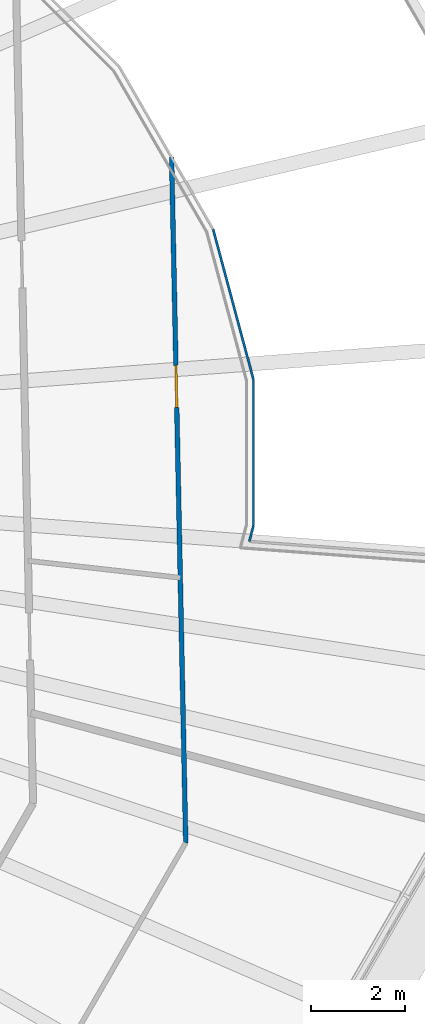
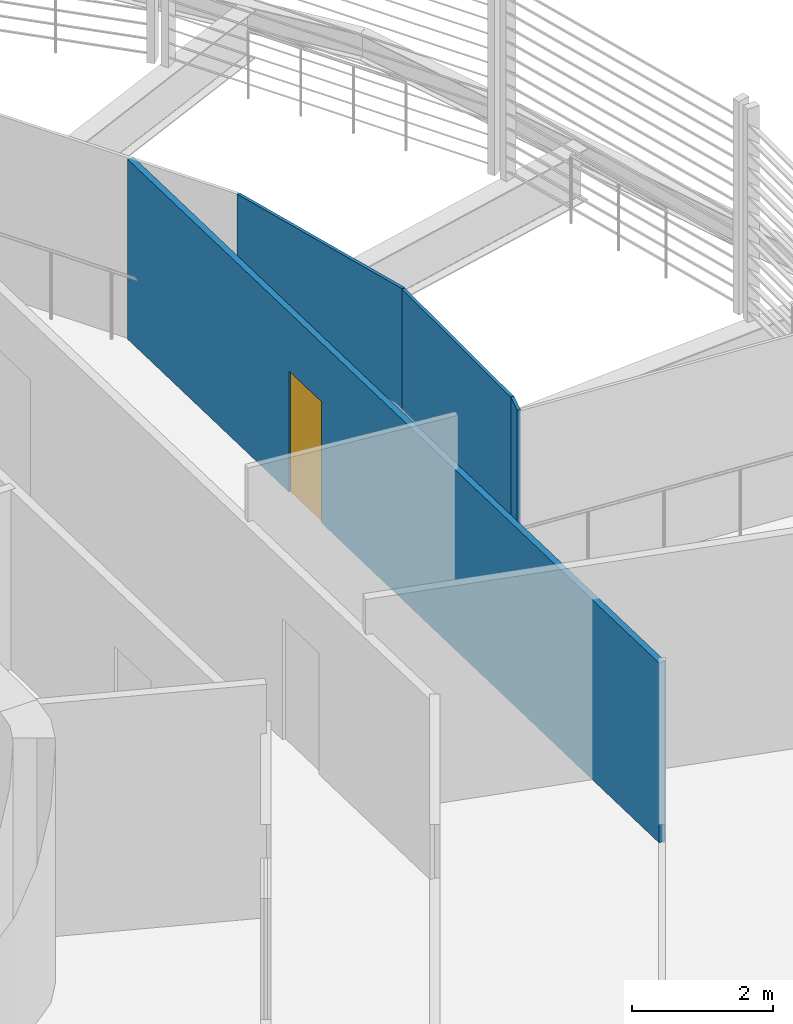
# One storey, part 17 of 28: 4 walls, 1 door, 1 opening.
"""IFC4 building model written with IfcOpenShell, lengths in metres."""

import ifcopenshell
import ifcopenshell.guid

model = None  # the IFC model being written
_history = None  # IfcOwnerHistory: only IFC2X3 demands one
_inside = {}  # id of a spatial element -> (the spatial element, [elements in it])
_under = {}  # id of a project, library or spatial element -> (it, [spatial elements below it])
_declared = {}  # id of a project -> (the project, [libraries it declares])
_typed = {}  # id of a type object -> (the type object, [elements of that type])
_made_of = {}  # id of a material, layer set ... -> (it, [elements and type objects made of it])


def new_model(schema):
    """Start an empty IFC model of exactly this schema.

    Asked for "IFC4X3", IfcOpenShell would pick the latest addendum, in which some entities
    have other attributes; the version numbers below select the first issue.
    IFC2X3 requires an IfcOwnerHistory on every rooted entity: one is made here for all.
    """
    global model, _history
    if schema == "IFC4X3":
        model = ifcopenshell.file(schema_version=(4, 3, 0, 0))
    else:
        model = ifcopenshell.file(schema=schema)
    _inside.clear()
    _under.clear()
    _declared.clear()
    _typed.clear()
    _made_of.clear()
    _history = None
    if model.schema == "IFC2X3":
        org = make("IfcOrganization", Name="unknown")
        user = make(
            "IfcPersonAndOrganization",
            ThePerson=make("IfcPerson", FamilyName="unknown"),
            TheOrganization=org,
        )
        app = make(
            "IfcApplication",
            ApplicationDeveloper=org,
            Version="unknown",
            ApplicationFullName="unknown",
            ApplicationIdentifier="unknown",
        )
        _history = make(
            "IfcOwnerHistory",
            OwningUser=user,
            OwningApplication=app,
            ChangeAction="ADDED",
            CreationDate=0,
        )
    return model


def make(cls, **values):
    """One entity of the class cls with the attributes given. An attribute that is None is left unset."""
    return model.create_entity(
        cls, **{name: value for name, value in values.items() if value is not None}
    )


def rooted(cls, **values):
    """An entity with a GlobalId (a new one), such as an element, a storey or a relation."""
    return make(cls, GlobalId=ifcopenshell.guid.new(), OwnerHistory=_history, **values)


def si_unit(unit_type, name, prefix=None):
    """IfcSIUnit, for example si_unit("LENGTHUNIT", "METRE", prefix="MILLI")."""
    return make("IfcSIUnit", UnitType=unit_type, Prefix=prefix, Name=name)


def assignment(units):
    """IfcUnitAssignment: the units of a project."""
    return None if units is None else make("IfcUnitAssignment", Units=units)


def point(xyz):
    """IfcCartesianPoint."""
    return None if xyz is None else make("IfcCartesianPoint", Coordinates=xyz)


def direction(xyz):
    """IfcDirection."""
    return None if xyz is None else make("IfcDirection", DirectionRatios=xyz)


def frame(location, z_axis=None, x_axis=None):
    """IfcAxis2Placement3D, a coordinate frame: its origin and axes. An axis left out is left unset."""
    return make(
        "IfcAxis2Placement3D",
        Location=point(location),
        Axis=direction(z_axis),
        RefDirection=direction(x_axis),
    )


def frame_2d(location, x_axis=None):
    """IfcAxis2Placement2D, a coordinate frame in the plane: its origin and x axis."""
    return make(
        "IfcAxis2Placement2D", Location=point(location), RefDirection=direction(x_axis)
    )


def origin():
    """The frame at (0, 0, 0) with its axes left unset."""
    return frame((0.0, 0.0, 0.0))


def place(relative_to, where):
    """IfcLocalPlacement: puts the frame where relative to a parent placement (None: the world)."""
    return make(
        "IfcLocalPlacement", PlacementRelTo=relative_to, RelativePlacement=where
    )


def context(
    kind, dimensions, precision=None, world=None, true_north=None, identifier=None
):
    """IfcGeometricRepresentationContext, for example the 3D "Model" context."""
    return make(
        "IfcGeometricRepresentationContext",
        ContextIdentifier=identifier,
        ContextType=kind,
        CoordinateSpaceDimension=dimensions,
        Precision=precision,
        WorldCoordinateSystem=world,
        TrueNorth=true_north,
    )


def subcontext(parent, identifier, kind, view, scale=None):
    """IfcGeometricRepresentationSubContext, for example "Body" below "Model"."""
    return make(
        "IfcGeometricRepresentationSubContext",
        ContextIdentifier=identifier,
        ContextType=kind,
        ParentContext=parent,
        TargetScale=scale,
        TargetView=view,
    )


def project(units=None, contexts=None):
    """IfcProject with its units and contexts."""
    return rooted(
        "IfcProject",
        Name="project",
        RepresentationContexts=contexts,
        UnitsInContext=assignment(units),
    )


def spatial(cls, under=None, at=None, **own):
    """A site, building, storey or space (cls), placed at a placement, below another one or the project."""
    s = rooted(cls, ObjectPlacement=at, **own)
    if under is not None:
        _under.setdefault(under.id(), (under, []))[1].append(s)
    return s


def profile(cls, at=None, kind="AREA", **sizes):
    """A parametric profile (cls). Its sizes go by their IFC names, for example OverallWidth=200.0."""
    return make(cls, ProfileType=kind, Position=at, **sizes)


def rectangle(**sizes):
    """IfcRectangleProfileDef."""
    return profile("IfcRectangleProfileDef", **sizes)


def extrude(swept, where, along, depth):
    """IfcExtrudedAreaSolid: the profile swept, set in the frame where, extruded along a direction by depth."""
    return make(
        "IfcExtrudedAreaSolid",
        SweptArea=swept,
        Position=where,
        ExtrudedDirection=direction(along),
        Depth=depth,
    )


def shape(context_of_items, identifier, shape_type, items):
    """IfcShapeRepresentation: the items that make up one representation, for example the "Body"."""
    return make(
        "IfcShapeRepresentation",
        ContextOfItems=context_of_items,
        RepresentationIdentifier=identifier,
        RepresentationType=shape_type,
        Items=items,
    )


def material(Name=None, Category=None):
    """IfcMaterial."""
    return make("IfcMaterial", Name=Name, Category=Category)


def layer(
    of_material, thickness, ventilated=None, Name=None, Category=None, Priority=None
):
    """IfcMaterialLayer: one layer of a wall or slab, of a material (None: an air gap)."""
    return make(
        "IfcMaterialLayer",
        Material=of_material,
        LayerThickness=thickness,
        IsVentilated=ventilated,
        Name=Name,
        Category=Category,
        Priority=Priority,
    )


def layer_set(layers, Name=None):
    """IfcMaterialLayerSet."""
    return make("IfcMaterialLayerSet", MaterialLayers=layers, LayerSetName=Name)


def made_of(thing, what):
    """Note that an element or type object is made of a material, layer set ...; save() writes the relation."""
    if what is not None:
        _made_of.setdefault(what.id(), (what, []))[1].append(thing)
    return thing


def type_object(cls, material=None, **own):
    """A type object (cls), such as IfcWallType, which elements share."""
    return made_of(rooted(cls, **own), material)


def element(
    cls,
    number,
    at=None,
    inside=None,
    cuts=None,
    type_object=None,
    material=None,
    context=None,
    identifier="Body",
    shape_type=None,
    held_by="IfcProductDefinitionShape",
    body=None,
    shapes=None,
    **own,
):
    """One element of the class cls, such as IfcWall. Its Tag is "e" and its number.

    at: its placement. inside: the storey or other place that contains it. cuts: it is an
    opening in that element (IfcRelVoidsElement). A single representation is given by context,
    identifier, shape_type and body (its items); several are given by shapes. held_by: the class
    of the entity that holds the representations. save() writes the other relations.
    """
    e = rooted(cls, Tag="e%d" % number, ObjectPlacement=at, **own)
    if body is not None:
        shapes = [shape(context, identifier, shape_type, body)]
    if shapes is not None:
        e.Representation = make(held_by, Representations=shapes)
    if inside is not None:
        _inside.setdefault(inside.id(), (inside, []))[1].append(e)
    if cuts is not None:
        rooted(
            "IfcRelVoidsElement", RelatingBuildingElement=cuts, RelatedOpeningElement=e
        )
    if type_object is not None:
        _typed.setdefault(type_object.id(), (type_object, []))[1].append(e)
    return made_of(e, material)


def fill(opening, filler):
    """IfcRelFillsElement: the door or window that sits in an opening."""
    return rooted(
        "IfcRelFillsElement",
        RelatingOpeningElement=opening,
        RelatedBuildingElement=filler,
    )


def aggregate(whole, parts):
    """IfcRelAggregates: a whole, such as a stair, and the parts it consists of."""
    return rooted("IfcRelAggregates", RelatingObject=whole, RelatedObjects=parts)


def save(model, path):
    """Write the relations noted so far, then the file.

    IfcRelAggregates (storeys below a building ...), IfcRelContainedInSpatialStructure (elements
    in a storey), IfcRelDefinesByType, IfcRelAssociatesMaterial and IfcRelDeclares: one each for
    every whole, place, type object, material and project.
    """
    for whole, parts in _under.values():
        aggregate(whole, parts)
    for where, things in _inside.values():
        rooted(
            "IfcRelContainedInSpatialStructure",
            RelatedElements=things,
            RelatingStructure=where,
        )
    for kind, things in _typed.values():
        rooted("IfcRelDefinesByType", RelatedObjects=things, RelatingType=kind)
    for what, things in _made_of.values():
        rooted("IfcRelAssociatesMaterial", RelatedObjects=things, RelatingMaterial=what)
    for by, libraries in _declared.values():
        rooted("IfcRelDeclares", RelatingContext=by, RelatedDefinitions=libraries)
    model.write(path)


model = new_model("IFC4")

# Units and contexts
model_context = context("Model", 3, precision=1e-05, world=origin(), true_north=direction((0.0, 1.0)))
body_context = subcontext(model_context, "Body", "Model", "MODEL_VIEW")
ifc_project = project(units=[si_unit("LENGTHUNIT", "METRE"), si_unit("AREAUNIT", "SQUARE_METRE"), si_unit("VOLUMEUNIT", "CUBIC_METRE"), si_unit("PLANEANGLEUNIT", "RADIAN"), si_unit("MASSUNIT", "GRAM", prefix="KILO")], contexts=[model_context])

# Site, building, storey
site_placement = place(None, origin())
site = spatial("IfcSite", under=ifc_project, at=site_placement, CompositionType="ELEMENT")
building_placement = place(site_placement, origin())
building = spatial("IfcBuilding", under=site, at=building_placement, Name="Sahrelin Media Tower", CompositionType="ELEMENT")
storey_placement = place(building_placement, frame((0.0, 0.0, 75.60009765625)))
storey = spatial("IfcBuildingStorey", under=building, at=storey_placement, Name="L13", CompositionType="ELEMENT", Elevation=75.60009765625)

# Walls
ifc_material_1 = material(Name="Clear glass", Category="glass")
ifc_layer_1 = layer(ifc_material_1, 0.050048828125)
ifc_layer_set_1 = layer_set([ifc_layer_1], Name="Glazed partition 50")
wall_type_1 = type_object("IfcWallType", Name="Glazed partition 50", PredefinedType="PARTITIONING", material=ifc_layer_set_1)
wall_1_placement = place(storey_placement, frame((24.512939453125, 4.751953125, 0.0), z_axis=(0.0, 0.0, 1.0), x_axis=(0.258877201574, -0.965910241433, 0.0)))
element("IfcWall", 1, at=wall_1_placement, inside=storey, type_object=wall_type_1, Name="Wall", PredefinedType="PARTITIONING", context=body_context, shape_type="SweptSolid", body=[
    extrude(rectangle(XDim=3.31494140625, YDim=0.050048828125, at=frame_2d((1.657470703125, 0.0))), origin(), (0.0, 0.0, 1.0), 3.126953125),
])
wall_2_placement = place(storey_placement, frame((25.281005859375, -1.885986328125, 0.0), z_axis=(0.0, 0.0, 1.0), x_axis=(0.259016767744, 0.965872824976, 0.0)))
element("IfcWall", 2, at=wall_2_placement, inside=storey, type_object=wall_type_1, Name="Wall", PredefinedType="PARTITIONING", context=body_context, shape_type="SweptSolid", body=[
    extrude(rectangle(XDim=0.347900390625, YDim=0.050048828125, at=frame_2d((0.173828125, 0.0))), origin(), (0.0, 0.0, 1.0), 3.126953125),
])
wall_3_placement = place(storey_placement, frame((25.37109375, -1.550048828125, 0.0), z_axis=(0.0, 0.0, 1.0), x_axis=(0.0, 1.0, 0.0)))
element("IfcWall", 3, at=wall_3_placement, inside=storey, type_object=wall_type_1, Name="Wall", PredefinedType="PARTITIONING", context=body_context, shape_type="SweptSolid", body=[
    extrude(rectangle(XDim=3.10009765625, YDim=0.050048828125, at=frame_2d((1.550048828125, 0.0))), origin(), (0.0, 0.0, 1.0), 3.1181640625),
])

# Wall, opening, door
ifc_material_2 = material(Name="Gypsum board partition")
ifc_layer_2 = layer(ifc_material_2, 0.10009765625)
ifc_layer_set_2 = layer_set([ifc_layer_2], Name="Partition 100")
wall_type_2 = type_object("IfcWallType", Name="Partition 100", PredefinedType="PARTITIONING", material=ifc_layer_set_2)
wall_4_placement = place(storey_placement, frame((23.62890625, 6.282958984375, 0.0), z_axis=(0.0, 0.0, 1.0), x_axis=(0.020596229696, -0.999787875163, 0.0)))
wall_4 = element("IfcWall", 4, at=wall_4_placement, inside=storey, type_object=wall_type_2, Name="Wall", PredefinedType="PARTITIONING", context=body_context, shape_type="SweptSolid", body=[
    extrude(rectangle(XDim=14.580078125, YDim=0.10009765625, at=frame_2d((7.2900390625, 0.0))), origin(), (0.0, 0.0, 1.0), 3.1181640625),
])
opening_placement = place(wall_4_placement, frame((4.42431640625, 0.0, 0.0)))
opening = element("IfcOpeningElement", 5, at=opening_placement, cuts=wall_4, Name="Opening L13-D42", PredefinedType="OPENING", context=body_context, shape_type="SweptSolid", body=[
    extrude(rectangle(XDim=0.89990234375, YDim=2.10009765625, at=frame_2d((0.449951171875, 1.050048828125))), frame((0.0, 0.050048828125, 0.0), z_axis=(0.0, -1.0, 0.0), x_axis=(1.0, 0.0, 0.0)), (0.0, 0.0, 1.0), 0.10009765625),
])
ifc_material_3 = material(Name="Timber door leaf", Category="wood")
door_type = type_object("IfcDoorType", Name="Single door 900 x 2100", OperationType="NOTDEFINED", PredefinedType="DOOR", material=ifc_material_3)
door_placement = place(opening_placement, origin())
door = element("IfcDoor", 6, at=door_placement, inside=storey, type_object=door_type, Name="Single door", OperationType="SINGLE_SWING_RIGHT", OverallHeight=2.10009765625, OverallWidth=0.89990234375, PredefinedType="DOOR", context=body_context, shape_type="SweptSolid", body=[
    extrude(rectangle(XDim=0.89990234375, YDim=2.10009765625, at=frame_2d((0.449951171875, 1.050048828125))), frame((0.0, 0.02490234375, 0.0), z_axis=(0.0, -1.0, 0.0), x_axis=(1.0, 0.0, 0.0)), (0.0, 0.0, 1.0), 0.050048828125),
])
fill(opening, door)

save(model, "model.ifc")
